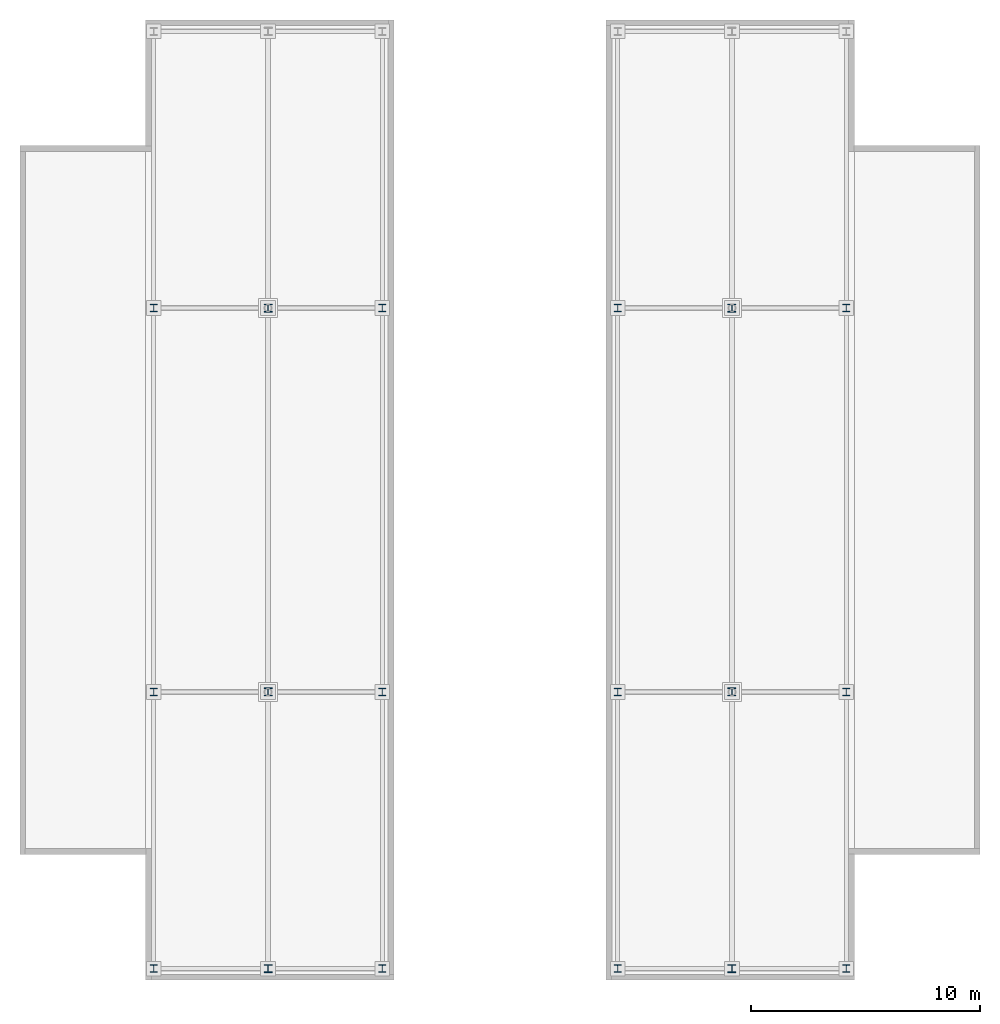
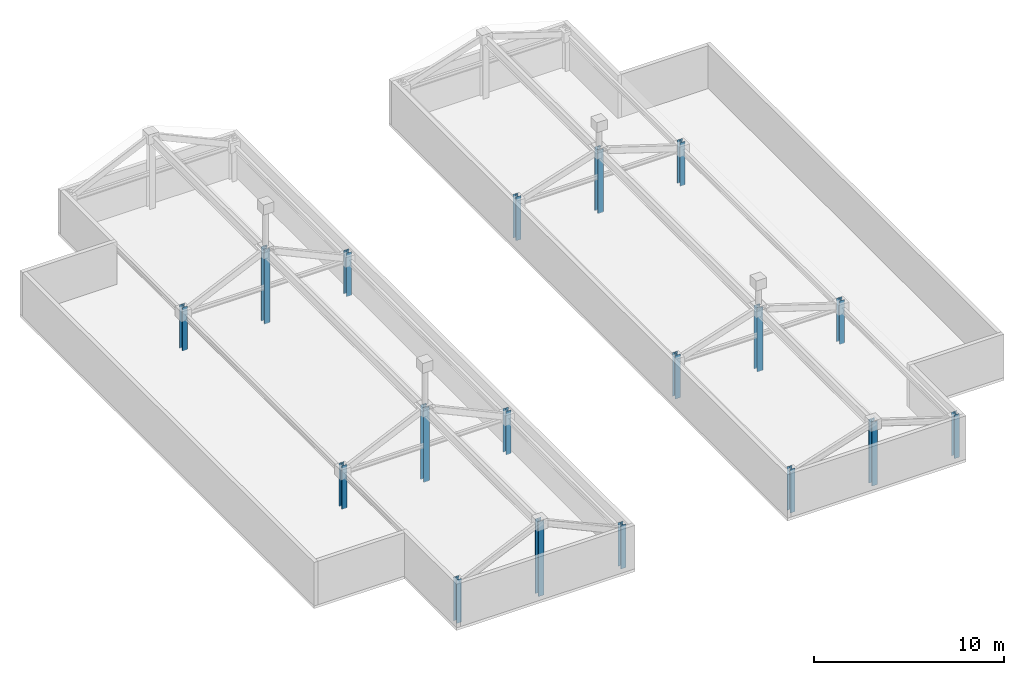
# One storey, part 1 of 9: 18 columns.
"""IFC4 building model written with IfcOpenShell, lengths in metres."""

from ifc_helpers import new_model, si_unit, direction, frame, origin, origin_2d, place, context, subcontext, project, spatial, i_section, extrude, material, material_profile, profile_set, type_object, element, save


model = new_model("IFC4")

# Units and contexts
model_context = context("Model", 3, precision=1e-05, world=origin(), true_north=direction((0.0, 1.0)))
body_context = subcontext(model_context, "Body", "Model", "MODEL_VIEW")
ifc_project = project(units=[si_unit("LENGTHUNIT", "METRE"), si_unit("AREAUNIT", "SQUARE_METRE"), si_unit("VOLUMEUNIT", "CUBIC_METRE"), si_unit("PLANEANGLEUNIT", "RADIAN"), si_unit("MASSUNIT", "GRAM", prefix="KILO")], contexts=[model_context])

# Site, building, storey
site_placement = place(None, origin())
site = spatial("IfcSite", under=ifc_project, at=site_placement, CompositionType="ELEMENT")
building_placement = place(site_placement, origin())
building = spatial("IfcBuilding", under=site, at=building_placement, Name="Cairnveth Concourse Tower", CompositionType="ELEMENT")
storey_placement = place(building_placement, frame((0.0, 0.0, 335.5)))
storey = spatial("IfcBuildingStorey", under=building, at=storey_placement, Name="RF", CompositionType="ELEMENT", Elevation=335.5)

# Columns
ifc_material = material(Name="Steel Grade 350", Category="steel")
ifc_material_profile_1 = material_profile(ifc_material, i_section(OverallWidth=0.306884765625, OverallDepth=0.31494140625, WebThickness=0.011962890625, FlangeThickness=0.018798828125, FilletRadius=0.01611328125, at=origin_2d()), Name="310UC118")
ifc_profile_set_1 = profile_set([ifc_material_profile_1], Name="Steel Grade 350")
column_type_1 = type_object("IfcColumnType", Name="UNIVERSAL STEEL COLUMN 310UC118", PredefinedType="COLUMN", material=ifc_profile_set_1)
for number, where, z_axis, x_axis, name in (
    (1, (36.85009765625, 18.5, 0.0), (0.0, 0.0, 1.0), (1.0, 0.0, 0.0), "Column PKW-L1 RF"),
    (2, (46.85009765625, 18.5, 0.0), (0.0, 0.0, 1.0), (1.0, 0.0, 0.0), "Column PKW-R1 RF"),
    (3, (36.85009765625, 30.60009765625, 0.0), (0.0, 0.0, 1.0), (1.0, 0.0, 0.0), "Column PKW-L2 RF"),
    (4, (46.85009765625, 30.60009765625, 0.0), (0.0, 0.0, 1.0), (1.0, 0.0, 0.0), "Column PKW-R2 RF"),
    (5, (36.85009765625, 47.39990234375, 0.0), (0.0, 0.0, 1.0), (1.0, 0.0, 0.0), "Column PKW-L3 RF"),
    (6, (46.85009765625, 47.39990234375, 0.0), (0.0, 0.0, 1.0), (1.0, 0.0, 0.0), "Column PKW-R3 RF"),
    (7, (57.14990234375, 18.5, 0.0), (0.0, 0.0, 1.0), (1.0, 0.0, 0.0), "Column PKE-L1 RF"),
    (8, (67.14990234375, 18.5, 0.0), (0.0, 0.0, 1.0), (1.0, 0.0, 0.0), "Column PKE-R1 RF"),
    (9, (57.14990234375, 30.60009765625, 0.0), (0.0, 0.0, 1.0), (1.0, 0.0, 0.0), "Column PKE-L2 RF"),
    (10, (67.14990234375, 30.60009765625, 0.0), (0.0, 0.0, 1.0), (1.0, 0.0, 0.0), "Column PKE-R2 RF"),
    (11, (57.14990234375, 47.39990234375, 0.0), (0.0, 0.0, 1.0), (1.0, 0.0, 0.0), "Column PKE-L3 RF"),
    (12, (67.14990234375, 47.39990234375, 0.0), (0.0, 0.0, 1.0), (1.0, 0.0, 0.0), "Column PKE-R3 RF"),
):
    element("IfcColumn", number, at=place(storey_placement, frame(where, z_axis=z_axis, x_axis=x_axis)), inside=storey, type_object=column_type_1, Name=name, PredefinedType="COLUMN", context=body_context, shape_type="SweptSolid", body=[
        extrude(i_section(OverallWidth=0.306884765625, OverallDepth=0.31494140625, WebThickness=0.011962890625, FlangeThickness=0.018798828125, FilletRadius=0.01611328125, at=origin_2d()), origin(), (0.0, 0.0, 1.0), 2.800048828125),
    ])
ifc_material_profile_2 = material_profile(ifc_material, i_section(OverallWidth=0.35009765625, OverallDepth=0.35009765625, WebThickness=0.02001953125, FlangeThickness=0.028076171875, at=origin_2d()), Name="350WC197")
ifc_profile_set_2 = profile_set([ifc_material_profile_2], Name="Steel Grade 350")
column_type_2 = type_object("IfcColumnType", Name="WELDED STEEL COLUMN 350WC197", PredefinedType="COLUMN", material=ifc_profile_set_2)
for number, where, z_axis, x_axis, name in (
    (13, (41.85009765625, 18.5, 0.0), (0.0, 0.0, 1.0), (1.0, 0.0, 0.0), "Column PKW-M1 RF"),
    (14, (41.85009765625, 30.60009765625, 0.0), (0.0, 0.0, 1.0), (1.0, 0.0, 0.0), "Column PKW-M2 RF"),
    (15, (41.85009765625, 47.39990234375, 0.0), (0.0, 0.0, 1.0), (1.0, 0.0, 0.0), "Column PKW-M3 RF"),
):
    element("IfcColumn", number, at=place(storey_placement, frame(where, z_axis=z_axis, x_axis=x_axis)), inside=storey, type_object=column_type_2, Name=name, PredefinedType="COLUMN", context=body_context, shape_type="SweptSolid", body=[
        extrude(i_section(OverallWidth=0.35009765625, OverallDepth=0.35009765625, WebThickness=0.02001953125, FlangeThickness=0.028076171875, at=origin_2d()), origin(), (0.0, 0.0, 1.0), 4.800048828125),
    ])
for number, where, z_axis, x_axis, name in (
    (16, (62.14990234375, 18.5, 0.0), (0.0, 0.0, 1.0), (1.0, 0.0, 0.0), "Column PKE-M1 RF"),
    (17, (62.14990234375, 30.60009765625, 0.0), (0.0, 0.0, 1.0), (1.0, 0.0, 0.0), "Column PKE-M2 RF"),
    (18, (62.14990234375, 47.39990234375, 0.0), (0.0, 0.0, 1.0), (1.0, 0.0, 0.0), "Column PKE-M3 RF"),
):
    element("IfcColumn", number, at=place(storey_placement, frame(where, z_axis=z_axis, x_axis=x_axis)), inside=storey, type_object=column_type_2, Name=name, PredefinedType="COLUMN", context=body_context, shape_type="SweptSolid", body=[
        extrude(i_section(OverallWidth=0.35009765625, OverallDepth=0.35009765625, WebThickness=0.02001953125, FlangeThickness=0.028076171875, at=origin_2d()), origin(), (0.0, 0.0, 1.0), 4.10009765625),
    ])

save(model, "model.ifc")
